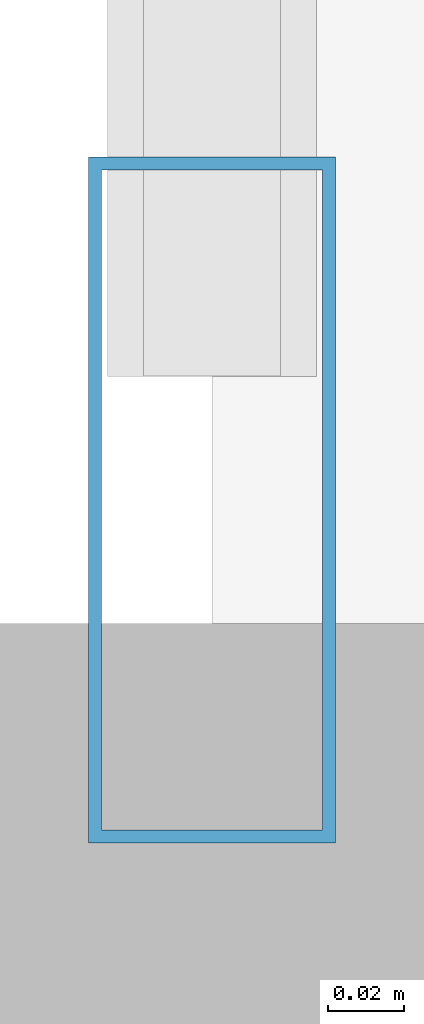
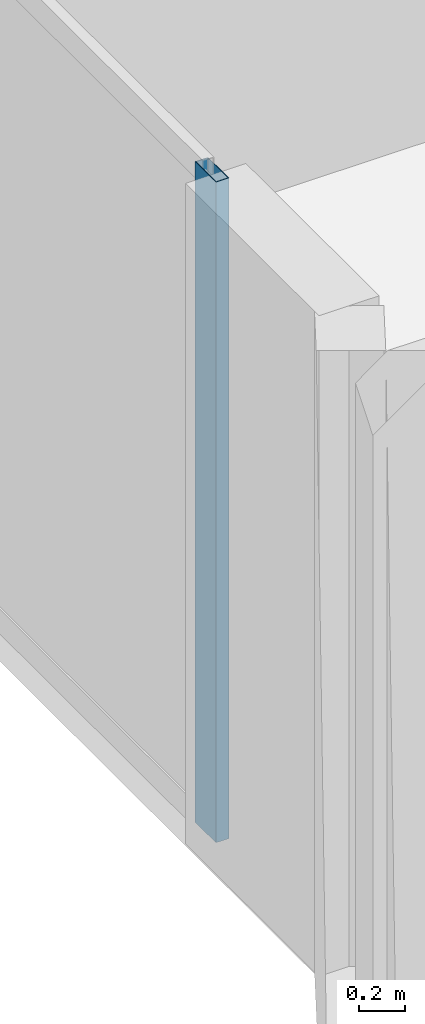
# One storey, part 6 of 24: 1 member, 1 element without a shape of its own.
"""IFC4 building model written with IfcOpenShell, lengths in metres."""

from ifc_helpers import new_model, si_unit, direction, frame, origin, origin_2d, place, context, subcontext, project, spatial, hollow_rectangle, extrude, material, layer, layer_set, material_profile, profile_set, type_object, element, aggregate, save


model = new_model("IFC4")

# Units and contexts
model_context = context("Model", 3, precision=1e-05, world=origin(), true_north=direction((0.0, 1.0)))
body_context = subcontext(model_context, "Body", "Model", "MODEL_VIEW")
ifc_project = project(units=[si_unit("LENGTHUNIT", "METRE"), si_unit("AREAUNIT", "SQUARE_METRE"), si_unit("VOLUMEUNIT", "CUBIC_METRE"), si_unit("PLANEANGLEUNIT", "RADIAN"), si_unit("MASSUNIT", "GRAM", prefix="KILO")], contexts=[model_context])

# Site, building, storey
site_placement = place(None, origin())
site = spatial("IfcSite", under=ifc_project, at=site_placement, CompositionType="ELEMENT")
building_placement = place(site_placement, origin())
building = spatial("IfcBuilding", under=site, at=building_placement, Name="Zuhayl Quay Hotel", CompositionType="ELEMENT")
storey_placement = place(building_placement, frame((0.0, 0.0, 276.64990234375)))
storey = spatial("IfcBuildingStorey", under=building, at=storey_placement, Name="L70", CompositionType="ELEMENT", Elevation=276.64990234375)

# Curtain wall, member
ifc_material_1 = material(Name="Anodised Aluminium 6063-T6", Category="aluminium")
ifc_layer = layer(ifc_material_1, 0.169921875, Name="Anodised Aluminium 6063-T6", Category="aluminium")
ifc_layer_set = layer_set([ifc_layer], Name="Anodised Aluminium 6063-T6")
curtain_wall_type = type_object("IfcCurtainWallType", Name="CW_SYS_Z4", PredefinedType="USERDEFINED", material=ifc_layer_set)
curtain_wall_placement = place(storey_placement, origin())
curtain_wall = element("IfcCurtainWall", 1, at=curtain_wall_placement, inside=storey, type_object=curtain_wall_type, Name="L70 Curtain Wall ENV_L70_E05_CW1", ObjectType="UNITISED CURTAIN WALL", PredefinedType="USERDEFINED")
ifc_material_2 = material(Name="Black-anodised aluminium 6063-T6", Category="aluminium")
ifc_material_profile = material_profile(ifc_material_2, hollow_rectangle(XDim=0.06494140625, YDim=0.179931640625, WallThickness=0.00341796875, at=origin_2d()), Name="ALU180X65")
ifc_profile_set = profile_set([ifc_material_profile], Name="Black-anodised aluminium 6063-T6")
member_type = type_object("IfcMemberType", Name="MB_CW_MUL_180", PredefinedType="MULLION", material=ifc_profile_set)
member_placement = place(storey_placement, frame((-20.199951171875, 25.282470703125, 0.0), z_axis=(0.0, 0.0, 1.0), x_axis=(-1.0, 0.0, 0.0)))
member = element("IfcMember", 2, at=member_placement, type_object=member_type, Name="CW-Z4 mullion 1", PredefinedType="MULLION", context=body_context, shape_type="SweptSolid", body=[
    extrude(hollow_rectangle(XDim=0.06494140625, YDim=0.179931640625, WallThickness=0.00341796875, at=origin_2d()), origin(), (0.0, 0.0, 1.0), 3.47998046875),
])
aggregate(curtain_wall, [member])

save(model, "model.ifc")
